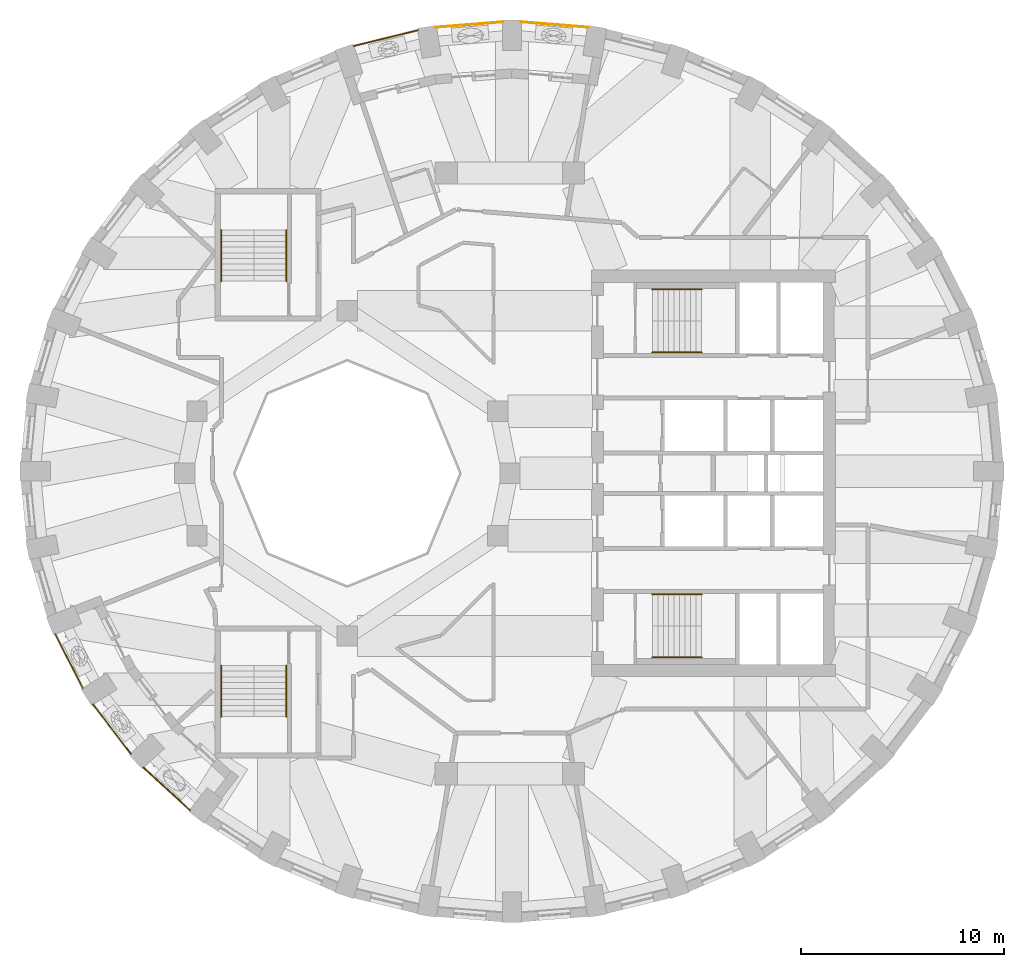
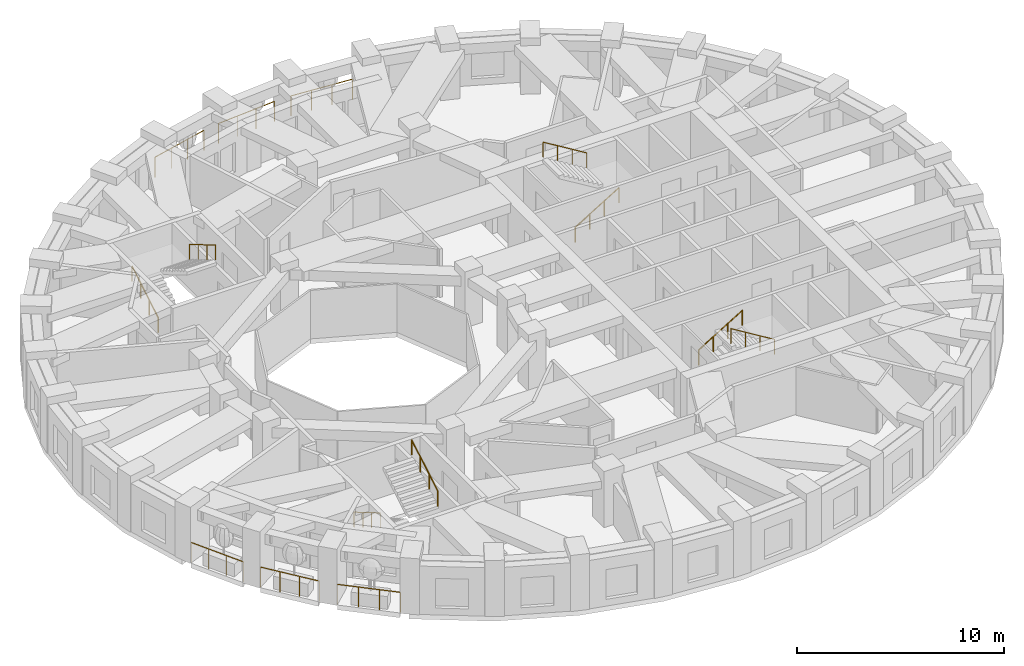
# One storey, part 9 of 11: 14 railings.
"""IFC4 building model written with IfcOpenShell, lengths in metres."""

from ifc_helpers import new_model, si_unit, direction, frame, origin, origin_2d, place, context, subcontext, project, spatial, circle, extrude, material, type_object, element, save


model = new_model("IFC4")

# Units and contexts
model_context = context("Model", 3, precision=1e-05, world=origin(), true_north=direction((0.0, 1.0)))
body_context = subcontext(model_context, "Body", "Model", "MODEL_VIEW")
ifc_project = project(units=[si_unit("LENGTHUNIT", "METRE"), si_unit("AREAUNIT", "SQUARE_METRE"), si_unit("VOLUMEUNIT", "CUBIC_METRE"), si_unit("PLANEANGLEUNIT", "RADIAN"), si_unit("MASSUNIT", "GRAM", prefix="KILO")], contexts=[model_context])

# Site, building, storey
site_placement = place(None, origin())
site = spatial("IfcSite", under=ifc_project, at=site_placement, CompositionType="ELEMENT")
building_placement = place(site_placement, origin())
building = spatial("IfcBuilding", under=site, at=building_placement, Name="Taillehof Tower", CompositionType="ELEMENT")
storey_placement = place(building_placement, frame((0.0, 0.0, 181.39990234375)))
storey = spatial("IfcBuildingStorey", under=building, at=storey_placement, Name="L51", CompositionType="ELEMENT", Elevation=181.39990234375)

# Railings
ifc_material_1 = material(Name="Stainless steel balustrade", Category="steel")
railing_type_1 = type_object("IfcRailingType", Name="Balcony guard 1200", PredefinedType="GUARDRAIL", material=ifc_material_1)
railing_1_placement = place(storey_placement, frame((-22.369384765625, -7.89794921875, 0.0)))
element("IfcRailing", 1, at=railing_1_placement, inside=storey, type_object=railing_type_1, Name="Balcony guard L51 bay 21", PredefinedType="GUARDRAIL", context=body_context, shape_type="SweptSolid", body=[
    extrude(circle(Radius=0.02392578125, at=origin_2d()), frame((0.0, 0.0, 1.17578125), z_axis=(0.454160993773, -0.89091963259, 0.0), x_axis=(0.89091963259, 0.454160993773, 0.0)), (0.0, 0.0, 1.0), 3.016357421875),
    extrude(circle(Radius=0.02099609375, at=origin_2d()), origin(), (0.0, 0.0, 1.0), 1.15185546875),
    extrude(circle(Radius=0.02099609375, at=origin_2d()), frame((0.45654296875, -0.895751953125, 0.0)), (0.0, 0.0, 1.0), 1.15185546875),
    extrude(circle(Radius=0.02099609375, at=origin_2d()), frame((0.913330078125, -1.79150390625, 0.0)), (0.0, 0.0, 1.0), 1.15185546875),
    extrude(circle(Radius=0.02099609375, at=origin_2d()), frame((1.369873046875, -2.687255859375, 0.0)), (0.0, 0.0, 1.0), 1.15185546875),
])
railing_2_placement = place(storey_placement, frame((-20.514404296875, -11.355224609375, 0.0)))
element("IfcRailing", 2, at=railing_2_placement, inside=storey, type_object=railing_type_1, Name="Balcony guard L51 bay 22", PredefinedType="GUARDRAIL", context=body_context, shape_type="SweptSolid", body=[
    extrude(circle(Radius=0.02392578125, at=origin_2d()), frame((0.0, 0.0, 1.17578125), z_axis=(0.607804631475, -0.794086601044, 0.0), x_axis=(0.794086601044, 0.607804631475, 0.0)), (0.0, 0.0, 1.0), 3.06689453125),
    extrude(circle(Radius=0.02099609375, at=origin_2d()), origin(), (0.0, 0.0, 1.0), 1.15185546875),
    extrude(circle(Radius=0.02099609375, at=origin_2d()), frame((0.621337890625, -0.811767578125, 0.0)), (0.0, 0.0, 1.0), 1.15185546875),
    extrude(circle(Radius=0.02099609375, at=origin_2d()), frame((1.24267578125, -1.62353515625, 0.0)), (0.0, 0.0, 1.0), 1.15185546875),
    extrude(circle(Radius=0.02099609375, at=origin_2d()), frame((1.864013671875, -2.435302734375, 0.0)), (0.0, 0.0, 1.0), 1.15185546875),
])
railing_3_placement = place(storey_placement, frame((-18.03564453125, -14.461669921875, 0.0)))
element("IfcRailing", 3, at=railing_3_placement, inside=storey, type_object=railing_type_1, Name="Balcony guard L51 bay 23", PredefinedType="GUARDRAIL", context=body_context, shape_type="SweptSolid", body=[
    extrude(circle(Radius=0.02392578125, at=origin_2d()), frame((0.0, 0.0, 1.17578125), z_axis=(0.737792988056, -0.675027041514, 0.0), x_axis=(0.675027041514, 0.737792988056, 0.0)), (0.0, 0.0, 1.0), 3.12353515625),
    extrude(circle(Radius=0.02099609375, at=origin_2d()), origin(), (0.0, 0.0, 1.0), 1.15185546875),
    extrude(circle(Radius=0.02099609375, at=origin_2d()), frame((0.76806640625, -0.702880859375, 0.0)), (0.0, 0.0, 1.0), 1.15185546875),
    extrude(circle(Radius=0.02099609375, at=origin_2d()), frame((1.536376953125, -1.405517578125, 0.0)), (0.0, 0.0, 1.0), 1.15185546875),
    extrude(circle(Radius=0.02099609375, at=origin_2d()), frame((2.304443359375, -2.1083984375, 0.0)), (0.0, 0.0, 1.0), 1.15185546875),
])
railing_4_placement = place(storey_placement, frame((3.8271484375, 21.94140625, 0.0)))
element("IfcRailing", 4, at=railing_4_placement, inside=storey, type_object=railing_type_1, Name="Balcony guard L51 bay 9", PredefinedType="GUARDRAIL", context=body_context, shape_type="SweptSolid", body=[
    extrude(circle(Radius=0.02392578125, at=origin_2d()), frame((0.0, 0.0, 1.17578125), z_axis=(-0.996810310205, 0.079807302108, 0.0), x_axis=(-0.079807302108, -0.996810310205, 0.0)), (0.0, 0.0, 1.0), 3.282470703125),
    extrude(circle(Radius=0.02099609375, at=origin_2d()), origin(), (0.0, 0.0, 1.0), 1.15185546875),
    extrude(circle(Radius=0.02099609375, at=origin_2d()), frame((-1.090576171875, 0.08740234375, 0.0)), (0.0, 0.0, 1.0), 1.15185546875),
    extrude(circle(Radius=0.02099609375, at=origin_2d()), frame((-2.181396484375, 0.174560546875, 0.0)), (0.0, 0.0, 1.0), 1.15185546875),
    extrude(circle(Radius=0.02099609375, at=origin_2d()), frame((-3.27197265625, 0.261962890625, 0.0)), (0.0, 0.0, 1.0), 1.15185546875),
])
railing_5_placement = place(storey_placement, frame((-0.35498046875, 22.203369140625, 0.0)))
element("IfcRailing", 5, at=railing_5_placement, inside=storey, type_object=railing_type_1, Name="Balcony guard L51 bay 10", PredefinedType="GUARDRAIL", context=body_context, shape_type="SweptSolid", body=[
    extrude(circle(Radius=0.02392578125, at=origin_2d()), frame((0.0, 0.0, 1.17578125), z_axis=(-0.996810783879, -0.079801385593, 0.0), x_axis=(0.079801385593, -0.996810783879, 0.0)), (0.0, 0.0, 1.0), 3.28271484375),
    extrude(circle(Radius=0.02099609375, at=origin_2d()), origin(), (0.0, 0.0, 1.0), 1.15185546875),
    extrude(circle(Radius=0.02099609375, at=origin_2d()), frame((-1.0908203125, -0.08740234375, 0.0)), (0.0, 0.0, 1.0), 1.15185546875),
    extrude(circle(Radius=0.02099609375, at=origin_2d()), frame((-2.181396484375, -0.174560546875, 0.0)), (0.0, 0.0, 1.0), 1.15185546875),
    extrude(circle(Radius=0.02099609375, at=origin_2d()), frame((-3.272216796875, -0.261962890625, 0.0)), (0.0, 0.0, 1.0), 1.15185546875),
])
railing_6_placement = place(storey_placement, frame((-4.525634765625, 21.79638671875, 0.0)))
element("IfcRailing", 6, at=railing_6_placement, inside=storey, type_object=railing_type_1, Name="Balcony guard L51 bay 11", PredefinedType="GUARDRAIL", context=body_context, shape_type="SweptSolid", body=[
    extrude(circle(Radius=0.02392578125, at=origin_2d()), frame((0.0, 0.0, 1.17578125), z_axis=(-0.971236963408, -0.238115016139, 0.0), x_axis=(0.238115016139, -0.971236963408, 0.0)), (0.0, 0.0, 1.0), 3.263427734375),
    extrude(circle(Radius=0.02099609375, at=origin_2d()), origin(), (0.0, 0.0, 1.0), 1.15185546875),
    extrude(circle(Radius=0.02099609375, at=origin_2d()), frame((-1.056640625, -0.259033203125, 0.0)), (0.0, 0.0, 1.0), 1.15185546875),
    extrude(circle(Radius=0.02099609375, at=origin_2d()), frame((-2.113037109375, -0.51806640625, 0.0)), (0.0, 0.0, 1.0), 1.15185546875),
    extrude(circle(Radius=0.02099609375, at=origin_2d()), frame((-3.169677734375, -0.777099609375, 0.0)), (0.0, 0.0, 1.0), 1.15185546875),
])
ifc_material_2 = material(Name="Stainless steel", Category="steel")
railing_type_2 = type_object("IfcRailingType", Name="Stair handrail 900", PredefinedType="HANDRAIL", material=ifc_material_2)
railing_7_placement = place(storey_placement, frame((7.0, 5.949951171875, 0.1650390625)))
element("IfcRailing", 7, at=railing_7_placement, inside=storey, type_object=railing_type_2, Name="Stair S1 handrail", PredefinedType="HANDRAIL", context=body_context, shape_type="SweptSolid", body=[
    extrude(circle(Radius=0.02392578125, at=origin_2d()), frame((0.0, 0.0, 0.8759765625), z_axis=(0.853258522278, 0.0, 0.521488153423), x_axis=(0.0, 1.0, 0.0)), (0.0, 0.0, 1.0), 2.847900390625),
    extrude(circle(Radius=0.02099609375, at=origin_2d()), origin(), (0.0, 0.0, 1.0), 0.851806640625),
    extrude(circle(Radius=0.02099609375, at=origin_2d()), frame((0.81005859375, 0.0, 0.4951171875)), (0.0, 0.0, 1.0), 0.851806640625),
    extrude(circle(Radius=0.02099609375, at=origin_2d()), frame((1.619873046875, 0.0, 0.989990234375)), (0.0, 0.0, 1.0), 0.851806640625),
    extrude(circle(Radius=0.02099609375, at=origin_2d()), frame((2.429931640625, 0.0, 1.485107421875)), (0.0, 0.0, 1.0), 0.851806640625),
])
railing_8_placement = place(storey_placement, frame((9.429931640625, 9.050048828125, 1.815185546875)))
element("IfcRailing", 8, at=railing_8_placement, inside=storey, type_object=railing_type_2, Name="Stair S1 handrail", PredefinedType="HANDRAIL", context=body_context, shape_type="SweptSolid", body=[
    extrude(circle(Radius=0.02392578125, at=origin_2d()), frame((0.0, 0.0, 0.8759765625), z_axis=(-0.853296667938, 0.0, 0.521425734392), x_axis=(0.0, -1.0, 0.0)), (0.0, 0.0, 1.0), 2.84765625),
    extrude(circle(Radius=0.02099609375, at=origin_2d()), origin(), (0.0, 0.0, 1.0), 0.851806640625),
    extrude(circle(Radius=0.02099609375, at=origin_2d()), frame((-0.81005859375, 0.0, 0.494873046875)), (0.0, 0.0, 1.0), 0.851806640625),
    extrude(circle(Radius=0.02099609375, at=origin_2d()), frame((-1.619873046875, 0.0, 0.989990234375)), (0.0, 0.0, 1.0), 0.851806640625),
    extrude(circle(Radius=0.02099609375, at=origin_2d()), frame((-2.429931640625, 0.0, 1.48486328125)), (0.0, 0.0, 1.0), 0.851806640625),
])
railing_9_placement = place(storey_placement, frame((7.0, -5.949951171875, 0.1650390625)))
element("IfcRailing", 9, at=railing_9_placement, inside=storey, type_object=railing_type_2, Name="Stair S2 handrail", PredefinedType="HANDRAIL", context=body_context, shape_type="SweptSolid", body=[
    extrude(circle(Radius=0.02392578125, at=origin_2d()), frame((0.0, 0.0, 0.8759765625), z_axis=(0.853258522278, 0.0, 0.521488153423), x_axis=(0.0, 1.0, 0.0)), (0.0, 0.0, 1.0), 2.847900390625),
    extrude(circle(Radius=0.02099609375, at=origin_2d()), origin(), (0.0, 0.0, 1.0), 0.851806640625),
    extrude(circle(Radius=0.02099609375, at=origin_2d()), frame((0.81005859375, 0.0, 0.4951171875)), (0.0, 0.0, 1.0), 0.851806640625),
    extrude(circle(Radius=0.02099609375, at=origin_2d()), frame((1.619873046875, 0.0, 0.989990234375)), (0.0, 0.0, 1.0), 0.851806640625),
    extrude(circle(Radius=0.02099609375, at=origin_2d()), frame((2.429931640625, 0.0, 1.485107421875)), (0.0, 0.0, 1.0), 0.851806640625),
])
railing_10_placement = place(storey_placement, frame((9.429931640625, -9.050048828125, 1.815185546875)))
element("IfcRailing", 10, at=railing_10_placement, inside=storey, type_object=railing_type_2, Name="Stair S2 handrail", PredefinedType="HANDRAIL", context=body_context, shape_type="SweptSolid", body=[
    extrude(circle(Radius=0.02392578125, at=origin_2d()), frame((0.0, 0.0, 0.8759765625), z_axis=(-0.853296667938, 0.0, 0.521425734392), x_axis=(0.0, -1.0, 0.0)), (0.0, 0.0, 1.0), 2.84765625),
    extrude(circle(Radius=0.02099609375, at=origin_2d()), origin(), (0.0, 0.0, 1.0), 0.851806640625),
    extrude(circle(Radius=0.02099609375, at=origin_2d()), frame((-0.81005859375, 0.0, 0.494873046875)), (0.0, 0.0, 1.0), 0.851806640625),
    extrude(circle(Radius=0.02099609375, at=origin_2d()), frame((-1.619873046875, 0.0, 0.989990234375)), (0.0, 0.0, 1.0), 0.851806640625),
    extrude(circle(Radius=0.02099609375, at=origin_2d()), frame((-2.429931640625, 0.0, 1.48486328125)), (0.0, 0.0, 1.0), 0.851806640625),
])
railing_11_placement = place(storey_placement, frame((-14.199951171875, 9.449951171875, 0.1650390625)))
element("IfcRailing", 11, at=railing_11_placement, inside=storey, type_object=railing_type_2, Name="Stair S3 handrail", PredefinedType="HANDRAIL", context=body_context, shape_type="SweptSolid", body=[
    extrude(circle(Radius=0.02392578125, at=origin_2d()), frame((0.0, 0.0, 0.8759765625), z_axis=(0.0, 0.86152411907, 0.507716645641), x_axis=(-1.0, 0.0, 0.0)), (0.0, 0.0, 1.0), 2.925048828125),
    extrude(circle(Radius=0.02099609375, at=origin_2d()), origin(), (0.0, 0.0, 1.0), 0.851806640625),
    extrude(circle(Radius=0.02099609375, at=origin_2d()), frame((0.0, 0.840087890625, 0.4951171875)), (0.0, 0.0, 1.0), 0.851806640625),
    extrude(circle(Radius=0.02099609375, at=origin_2d()), frame((0.0, 1.679931640625, 0.989990234375)), (0.0, 0.0, 1.0), 0.851806640625),
    extrude(circle(Radius=0.02099609375, at=origin_2d()), frame((0.0, 2.52001953125, 1.485107421875)), (0.0, 0.0, 1.0), 0.851806640625),
])
railing_12_placement = place(storey_placement, frame((-11.0, 11.969970703125, 1.815185546875)))
element("IfcRailing", 12, at=railing_12_placement, inside=storey, type_object=railing_type_2, Name="Stair S3 handrail", PredefinedType="HANDRAIL", context=body_context, shape_type="SweptSolid", body=[
    extrude(circle(Radius=0.02392578125, at=origin_2d()), frame((0.0, 0.0, 0.8759765625), z_axis=(0.0, -0.861560626758, 0.507654692109), x_axis=(1.0, 0.0, 0.0)), (0.0, 0.0, 1.0), 2.925048828125),
    extrude(circle(Radius=0.02099609375, at=origin_2d()), origin(), (0.0, 0.0, 1.0), 0.851806640625),
    extrude(circle(Radius=0.02099609375, at=origin_2d()), frame((0.0, -0.840087890625, 0.494873046875)), (0.0, 0.0, 1.0), 0.851806640625),
    extrude(circle(Radius=0.02099609375, at=origin_2d()), frame((0.0, -1.679931640625, 0.989990234375)), (0.0, 0.0, 1.0), 0.851806640625),
    extrude(circle(Radius=0.02099609375, at=origin_2d()), frame((0.0, -2.52001953125, 1.48486328125)), (0.0, 0.0, 1.0), 0.851806640625),
])
railing_13_placement = place(storey_placement, frame((-14.199951171875, -9.449951171875, 0.1650390625)))
element("IfcRailing", 13, at=railing_13_placement, inside=storey, type_object=railing_type_2, Name="Stair S4 handrail", PredefinedType="HANDRAIL", context=body_context, shape_type="SweptSolid", body=[
    extrude(circle(Radius=0.02392578125, at=origin_2d()), frame((0.0, 0.0, 0.8759765625), z_axis=(0.0, -0.86152411907, 0.507716645641), x_axis=(1.0, 0.0, 0.0)), (0.0, 0.0, 1.0), 2.925048828125),
    extrude(circle(Radius=0.02099609375, at=origin_2d()), origin(), (0.0, 0.0, 1.0), 0.851806640625),
    extrude(circle(Radius=0.02099609375, at=origin_2d()), frame((0.0, -0.840087890625, 0.4951171875)), (0.0, 0.0, 1.0), 0.851806640625),
    extrude(circle(Radius=0.02099609375, at=origin_2d()), frame((0.0, -1.679931640625, 0.989990234375)), (0.0, 0.0, 1.0), 0.851806640625),
    extrude(circle(Radius=0.02099609375, at=origin_2d()), frame((0.0, -2.52001953125, 1.485107421875)), (0.0, 0.0, 1.0), 0.851806640625),
])
railing_14_placement = place(storey_placement, frame((-11.0, -11.969970703125, 1.815185546875)))
element("IfcRailing", 14, at=railing_14_placement, inside=storey, type_object=railing_type_2, Name="Stair S4 handrail", PredefinedType="HANDRAIL", context=body_context, shape_type="SweptSolid", body=[
    extrude(circle(Radius=0.02392578125, at=origin_2d()), frame((0.0, 0.0, 0.8759765625), z_axis=(0.0, 0.861560626758, 0.507654692109), x_axis=(-1.0, 0.0, 0.0)), (0.0, 0.0, 1.0), 2.925048828125),
    extrude(circle(Radius=0.02099609375, at=origin_2d()), origin(), (0.0, 0.0, 1.0), 0.851806640625),
    extrude(circle(Radius=0.02099609375, at=origin_2d()), frame((0.0, 0.840087890625, 0.494873046875)), (0.0, 0.0, 1.0), 0.851806640625),
    extrude(circle(Radius=0.02099609375, at=origin_2d()), frame((0.0, 1.679931640625, 0.989990234375)), (0.0, 0.0, 1.0), 0.851806640625),
    extrude(circle(Radius=0.02099609375, at=origin_2d()), frame((0.0, 2.52001953125, 1.48486328125)), (0.0, 0.0, 1.0), 0.851806640625),
])

save(model, "model.ifc")
